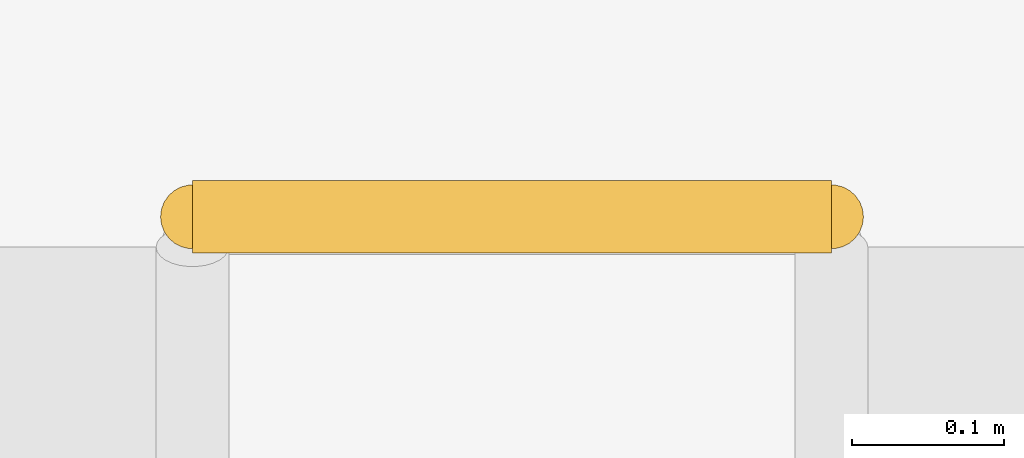
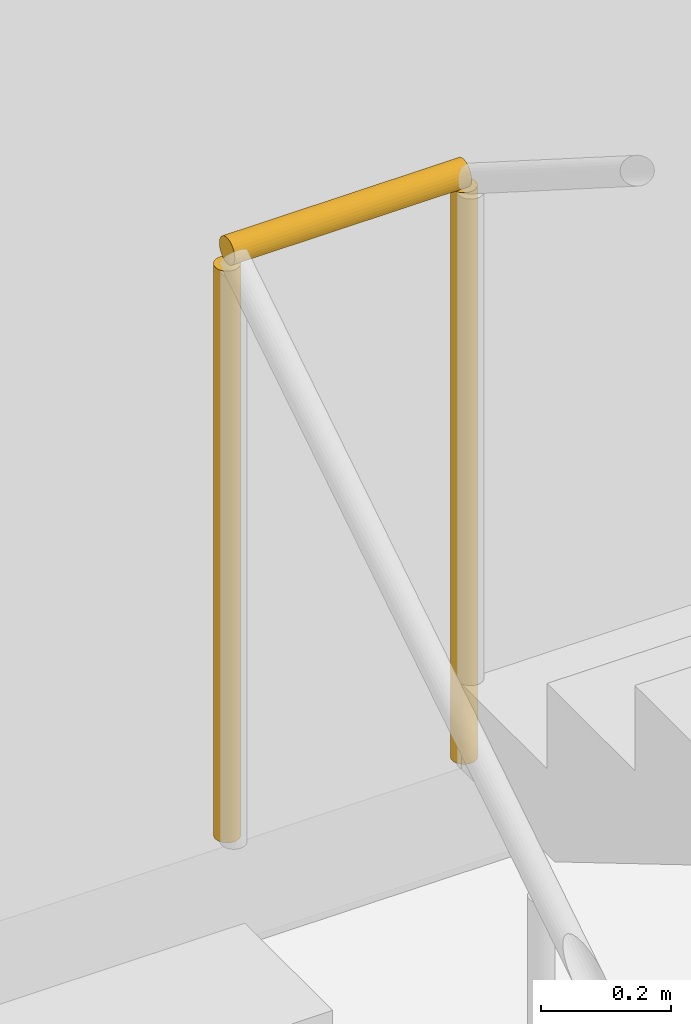
# One storey, part 38 of 39: 1 railing.
"""IFC4 building model written with IfcOpenShell, lengths in metres."""

import ifcopenshell
import ifcopenshell.guid

model = None  # the IFC model being written
_history = None  # IfcOwnerHistory: only IFC2X3 demands one
_inside = {}  # id of a spatial element -> (the spatial element, [elements in it])
_under = {}  # id of a project, library or spatial element -> (it, [spatial elements below it])
_declared = {}  # id of a project -> (the project, [libraries it declares])
_typed = {}  # id of a type object -> (the type object, [elements of that type])
_made_of = {}  # id of a material, layer set ... -> (it, [elements and type objects made of it])


def new_model(schema):
    """Start an empty IFC model of exactly this schema.

    Asked for "IFC4X3", IfcOpenShell would pick the latest addendum, in which some entities
    have other attributes; the version numbers below select the first issue.
    IFC2X3 requires an IfcOwnerHistory on every rooted entity: one is made here for all.
    """
    global model, _history
    if schema == "IFC4X3":
        model = ifcopenshell.file(schema_version=(4, 3, 0, 0))
    else:
        model = ifcopenshell.file(schema=schema)
    _inside.clear()
    _under.clear()
    _declared.clear()
    _typed.clear()
    _made_of.clear()
    _history = None
    if model.schema == "IFC2X3":
        org = make("IfcOrganization", Name="unknown")
        user = make(
            "IfcPersonAndOrganization",
            ThePerson=make("IfcPerson", FamilyName="unknown"),
            TheOrganization=org,
        )
        app = make(
            "IfcApplication",
            ApplicationDeveloper=org,
            Version="unknown",
            ApplicationFullName="unknown",
            ApplicationIdentifier="unknown",
        )
        _history = make(
            "IfcOwnerHistory",
            OwningUser=user,
            OwningApplication=app,
            ChangeAction="ADDED",
            CreationDate=0,
        )
    return model


def make(cls, **values):
    """One entity of the class cls with the attributes given. An attribute that is None is left unset."""
    return model.create_entity(
        cls, **{name: value for name, value in values.items() if value is not None}
    )


def rooted(cls, **values):
    """An entity with a GlobalId (a new one), such as an element, a storey or a relation."""
    return make(cls, GlobalId=ifcopenshell.guid.new(), OwnerHistory=_history, **values)


def si_unit(unit_type, name, prefix=None):
    """IfcSIUnit, for example si_unit("LENGTHUNIT", "METRE", prefix="MILLI")."""
    return make("IfcSIUnit", UnitType=unit_type, Prefix=prefix, Name=name)


def assignment(units):
    """IfcUnitAssignment: the units of a project."""
    return None if units is None else make("IfcUnitAssignment", Units=units)


def point(xyz):
    """IfcCartesianPoint."""
    return None if xyz is None else make("IfcCartesianPoint", Coordinates=xyz)


def direction(xyz):
    """IfcDirection."""
    return None if xyz is None else make("IfcDirection", DirectionRatios=xyz)


def frame(location, z_axis=None, x_axis=None):
    """IfcAxis2Placement3D, a coordinate frame: its origin and axes. An axis left out is left unset."""
    return make(
        "IfcAxis2Placement3D",
        Location=point(location),
        Axis=direction(z_axis),
        RefDirection=direction(x_axis),
    )


def frame_2d(location, x_axis=None):
    """IfcAxis2Placement2D, a coordinate frame in the plane: its origin and x axis."""
    return make(
        "IfcAxis2Placement2D", Location=point(location), RefDirection=direction(x_axis)
    )


def origin():
    """The frame at (0, 0, 0) with its axes left unset."""
    return frame((0.0, 0.0, 0.0))


def origin_2d():
    """The frame at (0, 0) in the plane with its x axis left unset."""
    return frame_2d((0.0, 0.0))


def place(relative_to, where):
    """IfcLocalPlacement: puts the frame where relative to a parent placement (None: the world)."""
    return make(
        "IfcLocalPlacement", PlacementRelTo=relative_to, RelativePlacement=where
    )


def context(
    kind, dimensions, precision=None, world=None, true_north=None, identifier=None
):
    """IfcGeometricRepresentationContext, for example the 3D "Model" context."""
    return make(
        "IfcGeometricRepresentationContext",
        ContextIdentifier=identifier,
        ContextType=kind,
        CoordinateSpaceDimension=dimensions,
        Precision=precision,
        WorldCoordinateSystem=world,
        TrueNorth=true_north,
    )


def subcontext(parent, identifier, kind, view, scale=None):
    """IfcGeometricRepresentationSubContext, for example "Body" below "Model"."""
    return make(
        "IfcGeometricRepresentationSubContext",
        ContextIdentifier=identifier,
        ContextType=kind,
        ParentContext=parent,
        TargetScale=scale,
        TargetView=view,
    )


def project(units=None, contexts=None):
    """IfcProject with its units and contexts."""
    return rooted(
        "IfcProject",
        Name="project",
        RepresentationContexts=contexts,
        UnitsInContext=assignment(units),
    )


def spatial(cls, under=None, at=None, **own):
    """A site, building, storey or space (cls), placed at a placement, below another one or the project."""
    s = rooted(cls, ObjectPlacement=at, **own)
    if under is not None:
        _under.setdefault(under.id(), (under, []))[1].append(s)
    return s


def profile(cls, at=None, kind="AREA", **sizes):
    """A parametric profile (cls). Its sizes go by their IFC names, for example OverallWidth=200.0."""
    return make(cls, ProfileType=kind, Position=at, **sizes)


def circle(**sizes):
    """IfcCircleProfileDef."""
    return profile("IfcCircleProfileDef", **sizes)


def extrude(swept, where, along, depth):
    """IfcExtrudedAreaSolid: the profile swept, set in the frame where, extruded along a direction by depth."""
    return make(
        "IfcExtrudedAreaSolid",
        SweptArea=swept,
        Position=where,
        ExtrudedDirection=direction(along),
        Depth=depth,
    )


def shape(context_of_items, identifier, shape_type, items):
    """IfcShapeRepresentation: the items that make up one representation, for example the "Body"."""
    return make(
        "IfcShapeRepresentation",
        ContextOfItems=context_of_items,
        RepresentationIdentifier=identifier,
        RepresentationType=shape_type,
        Items=items,
    )


def material(Name=None, Category=None):
    """IfcMaterial."""
    return make("IfcMaterial", Name=Name, Category=Category)


def made_of(thing, what):
    """Note that an element or type object is made of a material, layer set ...; save() writes the relation."""
    if what is not None:
        _made_of.setdefault(what.id(), (what, []))[1].append(thing)
    return thing


def type_object(cls, material=None, **own):
    """A type object (cls), such as IfcWallType, which elements share."""
    return made_of(rooted(cls, **own), material)


def element(
    cls,
    number,
    at=None,
    inside=None,
    cuts=None,
    type_object=None,
    material=None,
    context=None,
    identifier="Body",
    shape_type=None,
    held_by="IfcProductDefinitionShape",
    body=None,
    shapes=None,
    **own,
):
    """One element of the class cls, such as IfcWall. Its Tag is "e" and its number.

    at: its placement. inside: the storey or other place that contains it. cuts: it is an
    opening in that element (IfcRelVoidsElement). A single representation is given by context,
    identifier, shape_type and body (its items); several are given by shapes. held_by: the class
    of the entity that holds the representations. save() writes the other relations.
    """
    e = rooted(cls, Tag="e%d" % number, ObjectPlacement=at, **own)
    if body is not None:
        shapes = [shape(context, identifier, shape_type, body)]
    if shapes is not None:
        e.Representation = make(held_by, Representations=shapes)
    if inside is not None:
        _inside.setdefault(inside.id(), (inside, []))[1].append(e)
    if cuts is not None:
        rooted(
            "IfcRelVoidsElement", RelatingBuildingElement=cuts, RelatedOpeningElement=e
        )
    if type_object is not None:
        _typed.setdefault(type_object.id(), (type_object, []))[1].append(e)
    return made_of(e, material)


def aggregate(whole, parts):
    """IfcRelAggregates: a whole, such as a stair, and the parts it consists of."""
    return rooted("IfcRelAggregates", RelatingObject=whole, RelatedObjects=parts)


def save(model, path):
    """Write the relations noted so far, then the file.

    IfcRelAggregates (storeys below a building ...), IfcRelContainedInSpatialStructure (elements
    in a storey), IfcRelDefinesByType, IfcRelAssociatesMaterial and IfcRelDeclares: one each for
    every whole, place, type object, material and project.
    """
    for whole, parts in _under.values():
        aggregate(whole, parts)
    for where, things in _inside.values():
        rooted(
            "IfcRelContainedInSpatialStructure",
            RelatedElements=things,
            RelatingStructure=where,
        )
    for kind, things in _typed.values():
        rooted("IfcRelDefinesByType", RelatedObjects=things, RelatingType=kind)
    for what, things in _made_of.values():
        rooted("IfcRelAssociatesMaterial", RelatedObjects=things, RelatingMaterial=what)
    for by, libraries in _declared.values():
        rooted("IfcRelDeclares", RelatingContext=by, RelatedDefinitions=libraries)
    model.write(path)


model = new_model("IFC4")

# Units and contexts
model_context = context("Model", 3, precision=1e-05, world=origin(), true_north=direction((0.0, 1.0)))
body_context = subcontext(model_context, "Body", "Model", "MODEL_VIEW")
ifc_project = project(units=[si_unit("LENGTHUNIT", "METRE"), si_unit("AREAUNIT", "SQUARE_METRE"), si_unit("VOLUMEUNIT", "CUBIC_METRE"), si_unit("PLANEANGLEUNIT", "RADIAN"), si_unit("MASSUNIT", "GRAM", prefix="KILO")], contexts=[model_context])

# Site, building, storey
site_placement = place(None, origin())
site = spatial("IfcSite", under=ifc_project, at=site_placement, CompositionType="ELEMENT")
building_placement = place(site_placement, origin())
building = spatial("IfcBuilding", under=site, at=building_placement, Name="Zarnetskaya Central Station", CompositionType="ELEMENT")
storey_placement = place(building_placement, frame((0.0, 0.0, -4.800048828125)))
storey = spatial("IfcBuildingStorey", under=building, at=storey_placement, Name="B1", CompositionType="ELEMENT", Elevation=-4.800048828125)

# Railing
ifc_material = material(Name="Steel S355", Category="steel")
railing_type = type_object("IfcRailingType", Name="RAIL-STAIR-GRD", PredefinedType="BALUSTRADE", material=ifc_material)
railing_placement = place(storey_placement, frame((89.93994140625, 120.89990234375, 2.400146484375)))
element("IfcRailing", 1, at=railing_placement, inside=storey, type_object=railing_type, Name="Stair ST-B1 B1 half-landing well guard", PredefinedType="BALUSTRADE", context=body_context, shape_type="SweptSolid", body=[
    extrude(circle(Radius=0.02392578125, at=origin_2d()), frame((0.0, 0.0, 1.09619140625), z_axis=(1.0, 0.0, 0.0), x_axis=(0.0, 1.0, 0.0)), (0.0, 0.0, 1.0), 0.420166015625),
    extrude(circle(Radius=0.02099609375, at=origin_2d()), origin(), (0.0, 0.0, 1.0), 1.072021484375),
    extrude(circle(Radius=0.02099609375, at=origin_2d()), frame((0.420166015625, 0.0, 0.0)), (0.0, 0.0, 1.0), 1.072021484375),
])

save(model, "model.ifc")
